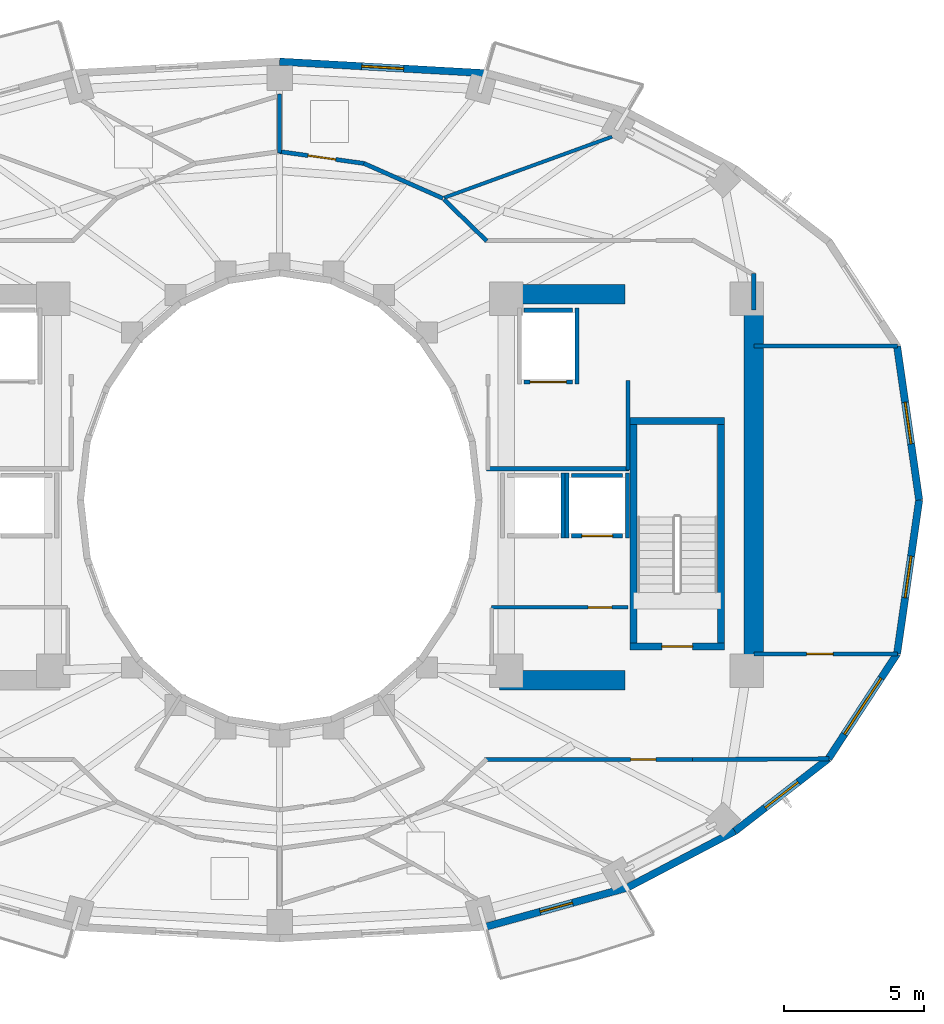
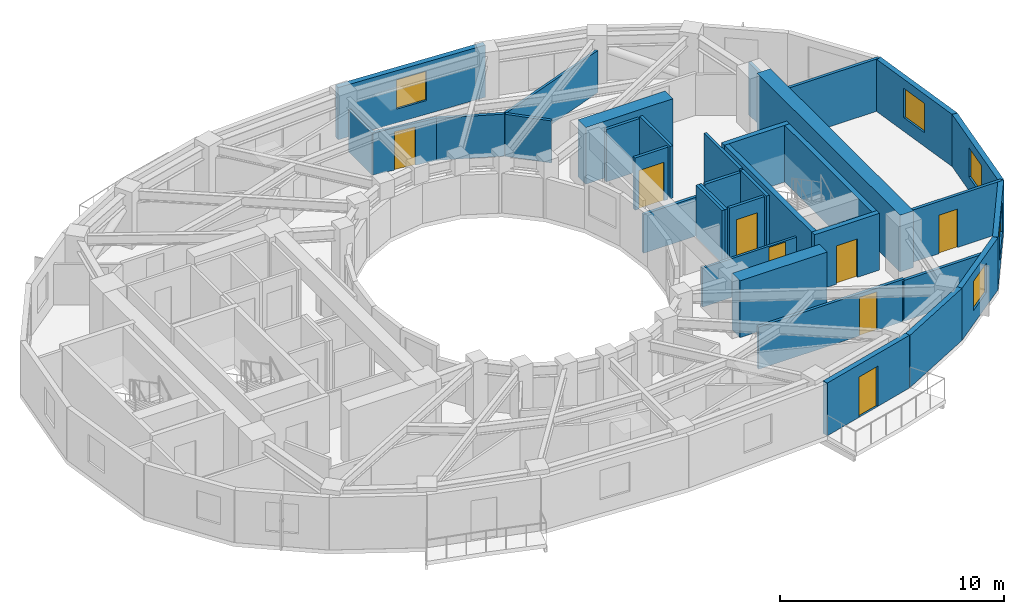
# One storey, part 6 of 10: 35 walls, 8 doors, 5 windows, 13 openings.
"""IFC4 building model written with IfcOpenShell, lengths in metres."""

from ifc_helpers import new_model, si_unit, direction, frame, frame_2d, origin, place, context, subcontext, project, spatial, rectangle, extrude, material, layer, layer_set, type_object, element, fill, save


model = new_model("IFC4")

# Units and contexts
model_context = context("Model", 3, precision=1e-05, world=origin(), true_north=direction((0.0, 1.0)))
body_context = subcontext(model_context, "Body", "Model", "MODEL_VIEW")
ifc_project = project(units=[si_unit("LENGTHUNIT", "METRE"), si_unit("AREAUNIT", "SQUARE_METRE"), si_unit("VOLUMEUNIT", "CUBIC_METRE"), si_unit("PLANEANGLEUNIT", "RADIAN"), si_unit("MASSUNIT", "GRAM", prefix="KILO")], contexts=[model_context])

# Site, building, storey
site_placement = place(None, origin())
site = spatial("IfcSite", under=ifc_project, at=site_placement, CompositionType="ELEMENT")
building_placement = place(site_placement, origin())
building = spatial("IfcBuilding", under=site, at=building_placement, Name="Solvane Sanctuary Tower", CompositionType="ELEMENT")
storey_placement = place(building_placement, frame((0.0, 0.0, 165.300048828125)))
storey = spatial("IfcBuildingStorey", under=building, at=storey_placement, Name="L50", CompositionType="ELEMENT", Elevation=165.300048828125)

# Walls
ifc_material_1 = material(Name="Concrete C60/75", Category="concrete")
ifc_layer_1 = layer(ifc_material_1, 0.699951171875, Name="Concrete C60/75")
ifc_layer_set_1 = layer_set([ifc_layer_1], Name="Concrete C60/75")
wall_type_1 = type_object("IfcWallType", Name="Wall W-CORE-700", PredefinedType="SHEAR", material=ifc_layer_set_1)
wall_1_placement = place(storey_placement, frame((48.949951171875, 17.050048828125, 0.0), z_axis=(0.0, 0.0, 1.0), x_axis=(0.0, 1.0, 0.0)))
element("IfcWall", 1, at=wall_1_placement, inside=storey, type_object=wall_type_1, Name="L50 Core Shear Wall EC-E", PredefinedType="SHEAR", context=body_context, shape_type="SweptSolid", body=[
    extrude(rectangle(XDim=12.800048828125, YDim=0.699951171875, at=frame_2d((6.39990234375, 0.0))), origin(), (0.0, 0.0, 1.0), 3.099853515625),
])
for number, where, z_axis, x_axis, name in (
    (2, (39.85009765625, 16.550048828125, 0.0), (0.0, 0.0, 1.0), (1.0, 0.0, 0.0), "L50 Core Shear Wall EC-S"),
    (3, (39.85009765625, 30.35009765625, 0.0), (0.0, 0.0, 1.0), (1.0, 0.0, 0.0), "L50 Core Shear Wall EC-N"),
):
    element("IfcWall", number, at=place(storey_placement, frame(where, z_axis=z_axis, x_axis=x_axis)), inside=storey, type_object=wall_type_1, Name=name, PredefinedType="SHEAR", context=body_context, shape_type="SweptSolid", body=[
        extrude(rectangle(XDim=4.5, YDim=0.699951171875, at=frame_2d((2.25, 0.0))), origin(), (0.0, 0.0, 1.0), 3.099853515625),
    ])
ifc_material_2 = material(Name="Acoustic Gypsum Partition Board")
ifc_layer_2 = layer(ifc_material_2, 0.14990234375, Name="Acoustic Gypsum Partition Board")
ifc_layer_set_2 = layer_set([ifc_layer_2], Name="Acoustic Gypsum Partition Board")
wall_type_2 = type_object("IfcWallType", Name="Wall W-CORR-150", PredefinedType="PARTITIONING", material=ifc_layer_set_2)
wall_2_placement = place(storey_placement, frame((39.39990234375, 24.1201171875, 0.0), z_axis=(0.0, 0.0, 1.0), x_axis=(1.0, 0.0, 0.0)))
element("IfcWall", 4, at=wall_2_placement, inside=storey, type_object=wall_type_2, Name="L50 East Firefighting Lobby South Wall", PredefinedType="PARTITIONING", context=body_context, shape_type="SweptSolid", body=[
    extrude(rectangle(XDim=5.080078125, YDim=0.14990234375, at=frame_2d((2.5400390625, 0.0))), origin(), (0.0, 0.0, 1.0), 2.119873046875),
])
wall_3_placement = place(storey_placement, frame((44.449951171875, 24.080078125, 0.0), z_axis=(0.0, 0.0, 1.0), x_axis=(0.0, 1.0, 0.0)))
element("IfcWall", 5, at=wall_3_placement, inside=storey, type_object=wall_type_2, Name="L50 East Firefighting Lobby East Wall", PredefinedType="PARTITIONING", context=body_context, shape_type="SweptSolid", body=[
    extrude(rectangle(XDim=3.199951171875, YDim=0.14990234375, at=frame_2d((1.60009765625, 0.0))), origin(), (0.0, 0.0, 1.0), 2.85498046875),
])

# Wall, opening, door
wall_4_placement = place(storey_placement, frame((48.949951171875, 17.4970703125, 0.0), z_axis=(0.0, 0.0, 1.0), x_axis=(1.0, 0.0, 0.0)))
wall_4 = element("IfcWall", 6, at=wall_4_placement, inside=storey, type_object=wall_type_2, Name="L50 East Shoulder South Wall", PredefinedType="PARTITIONING", context=body_context, shape_type="SweptSolid", body=[
    extrude(rectangle(XDim=5.14013671875, YDim=0.14990234375, at=frame_2d((2.570068359375, 0.0))), origin(), (0.0, 0.0, 1.0), 2.85498046875),
])
opening_1_placement = place(wall_4_placement, frame((1.888671875, 0.0, 0.0)))
opening_1 = element("IfcOpeningElement", 7, at=opening_1_placement, cuts=wall_4, Name="Opening D-L50-13", PredefinedType="OPENING", context=body_context, shape_type="SweptSolid", body=[
    extrude(rectangle(XDim=0.949951171875, YDim=2.10009765625, at=frame_2d((0.47509765625, 1.050048828125))), frame((0.0, 0.0849609375, 0.0), z_axis=(0.0, -1.0, 0.0), x_axis=(1.0, 0.0, 0.0)), (0.0, 0.0, 1.0), 0.169921875),
])
ifc_material_3 = material(Name="Engineered Tropical Hardwood", Category="wood")
door_type_1 = type_object("IfcDoorType", Name="Door D-ROOM-950", OperationType="NOTDEFINED", PredefinedType="DOOR", material=ifc_material_3)
door_1_placement = place(opening_1_placement, origin())
door_1 = element("IfcDoor", 8, at=door_1_placement, inside=storey, type_object=door_type_1, Name="L50 East Shoulder South Door", OperationType="SINGLE_SWING_RIGHT", OverallHeight=2.10009765625, OverallWidth=0.949951171875, PredefinedType="DOOR", context=body_context, shape_type="SweptSolid", body=[
    extrude(rectangle(XDim=0.949951171875, YDim=2.10009765625, at=frame_2d((0.47509765625, 1.050048828125))), frame((0.0, 0.02490234375, 0.0), z_axis=(0.0, -1.0, 0.0), x_axis=(1.0, 0.0, 0.0)), (0.0, 0.0, 1.0), 0.050048828125),
])
fill(opening_1, door_1)

# Walls
wall_5_placement = place(storey_placement, frame((48.949951171875, 28.5029296875, 0.0), z_axis=(0.0, 0.0, 1.0), x_axis=(1.0, 0.0, 0.0)))
element("IfcWall", 9, at=wall_5_placement, inside=storey, type_object=wall_type_2, Name="L50 East Shoulder North Wall", PredefinedType="PARTITIONING", context=body_context, shape_type="SweptSolid", body=[
    extrude(rectangle(XDim=5.14013671875, YDim=0.14990234375, at=frame_2d((2.570068359375, 0.0))), origin(), (0.0, 0.0, 1.0), 2.85498046875),
])
wall_6_placement = place(storey_placement, frame((48.949951171875, 29.800048828125, 0.0), z_axis=(0.0, 0.0, 1.0), x_axis=(0.0, 1.0, 0.0)))
element("IfcWall", 10, at=wall_6_placement, inside=storey, type_object=wall_type_2, Name="L50 NE Corner Closer 1", PredefinedType="PARTITIONING", context=body_context, shape_type="SweptSolid", body=[
    extrude(rectangle(XDim=1.2900390625, YDim=0.14990234375, at=frame_2d((0.64501953125, 0.0))), origin(), (0.0, 0.0, 1.0), 2.85498046875),
])
wall_7_placement = place(storey_placement, frame((37.867431640625, 33.748779296875, 0.0), z_axis=(0.0, 0.0, 1.0), x_axis=(0.717419568599, -0.696641344302, 0.0)))
element("IfcWall", 11, at=wall_7_placement, inside=storey, type_object=wall_type_2, Name="L50 NE Corner Throat Wall", PredefinedType="PARTITIONING", context=body_context, shape_type="SweptSolid", body=[
    extrude(rectangle(XDim=2.138427734375, YDim=0.14990234375, at=frame_2d((1.0693359375, 0.0))), origin(), (0.0, 0.0, 1.0), 2.299072265625),
])

# Wall, opening, door
wall_8_placement = place(storey_placement, frame((39.330078125, 13.719970703125, 0.0), z_axis=(0.0, 0.0, 1.0), x_axis=(1.0, 0.0, 0.0)))
wall_8 = element("IfcWall", 12, at=wall_8_placement, inside=storey, type_object=wall_type_2, Name="L50 SE Corner Corridor Wall", PredefinedType="PARTITIONING", context=body_context, shape_type="SweptSolid", body=[
    extrude(rectangle(XDim=7.52001953125, YDim=0.14990234375, at=frame_2d((3.760009765625, 0.0))), origin(), (0.0, 0.0, 1.0), 2.299072265625),
])
opening_2_placement = place(wall_8_placement, frame((5.219970703125, 0.0, 0.0)))
opening_2 = element("IfcOpeningElement", 13, at=opening_2_placement, cuts=wall_8, Name="Opening D-L50-19", PredefinedType="OPENING", context=body_context, shape_type="SweptSolid", body=[
    extrude(rectangle(XDim=0.89990234375, YDim=2.10009765625, at=frame_2d((0.449951171875, 1.050048828125))), frame((0.0, 0.0849609375, 0.0), z_axis=(0.0, -1.0, 0.0), x_axis=(1.0, 0.0, 0.0)), (0.0, 0.0, 1.0), 0.169921875),
])
door_type_2 = type_object("IfcDoorType", Name="Door D-WET-900", OperationType="NOTDEFINED", PredefinedType="DOOR", material=ifc_material_3)
door_2_placement = place(opening_2_placement, origin())
door_2 = element("IfcDoor", 14, at=door_2_placement, inside=storey, type_object=door_type_2, Name="L50 SE Corner Salon Door", OperationType="SINGLE_SWING_RIGHT", OverallHeight=2.10009765625, OverallWidth=0.89990234375, PredefinedType="DOOR", context=body_context, shape_type="SweptSolid", body=[
    extrude(rectangle(XDim=0.89990234375, YDim=2.10009765625, at=frame_2d((0.449951171875, 1.050048828125))), frame((0.0, 0.02490234375, 0.0), z_axis=(0.0, -1.0, 0.0), x_axis=(1.0, 0.0, 0.0)), (0.0, 0.0, 1.0), 0.050048828125),
])
fill(opening_2, door_2)

# Walls
wall_9_placement = place(storey_placement, frame((46.75, 13.7197265625, 0.0), z_axis=(0.0, 0.0, 1.0), x_axis=(0.999981712056, 0.006047772638, 0.0)))
element("IfcWall", 15, at=wall_9_placement, inside=storey, type_object=wall_type_2, Name="L50 SE Corner Wing Wall", PredefinedType="PARTITIONING", context=body_context, shape_type="SweptSolid", body=[
    extrude(rectangle(XDim=4.884521484375, YDim=0.14990234375, at=frame_2d((2.4423828125, 0.0))), origin(), (0.0, 0.0, 1.0), 2.219970703125),
])
wall_10_placement = place(storey_placement, frame((37.8349609375, 33.782958984375, 0.0), z_axis=(0.0, 0.0, 1.0), x_axis=(-0.91445214467, 0.404694051239, 0.0)))
element("IfcWall", 16, at=wall_10_placement, inside=storey, type_object=wall_type_2, Name="L50 Unit Corridor Wall N1", PredefinedType="PARTITIONING", context=body_context, shape_type="SweptSolid", body=[
    extrude(rectangle(XDim=3.090576171875, YDim=0.14990234375, at=frame_2d((1.54541015625, 0.0))), origin(), (0.0, 0.0, 1.0), 2.299072265625),
])

# Wall, opening, door
wall_11_placement = place(storey_placement, frame((35.024658203125, 35.029296875, 0.0), z_axis=(0.0, 0.0, 1.0), x_axis=(-0.990243864279, 0.139345216129, 0.0)))
wall_11 = element("IfcWall", 17, at=wall_11_placement, inside=storey, type_object=wall_type_2, Name="L50 Unit Corridor Wall N1", PredefinedType="PARTITIONING", context=body_context, shape_type="SweptSolid", body=[
    extrude(rectangle(XDim=3.0625, YDim=0.14990234375, at=frame_2d((1.53125, 0.0))), origin(), (0.0, 0.0, 1.0), 2.299072265625),
])
opening_3_placement = place(wall_11_placement, frame((1.03125, 0.0, 0.0)))
opening_3 = element("IfcOpeningElement", 18, at=opening_3_placement, cuts=wall_11, Name="Opening D-L50-22", PredefinedType="OPENING", context=body_context, shape_type="SweptSolid", body=[
    extrude(rectangle(XDim=1.0, YDim=2.10009765625, at=frame_2d((0.5, 1.050048828125))), frame((0.0, 0.0849609375, 0.0), z_axis=(0.0, -1.0, 0.0), x_axis=(1.0, 0.0, 0.0)), (0.0, 0.0, 1.0), 0.169921875),
])
door_type_3 = type_object("IfcDoorType", Name="Door D-UNIT", OperationType="NOTDEFINED", PredefinedType="DOOR", material=ifc_material_3)
door_3_placement = place(opening_3_placement, origin())
door_3 = element("IfcDoor", 19, at=door_3_placement, inside=storey, type_object=door_type_3, Name="L50 Unit Entrance Door N1", OperationType="SINGLE_SWING_LEFT", OverallHeight=2.10009765625, OverallWidth=1.0, PredefinedType="DOOR", context=body_context, shape_type="SweptSolid", body=[
    extrude(rectangle(XDim=1.0, YDim=2.10009765625, at=frame_2d((0.5, 1.050048828125))), frame((0.0, 0.02490234375, 0.0), z_axis=(0.0, -1.0, 0.0), x_axis=(1.0, 0.0, 0.0)), (0.0, 0.0, 1.0), 0.050048828125),
])
fill(opening_3, door_3)

# Wall, opening, window
ifc_material_4 = material(Name="Precast concrete C40/50", Category="concrete")
ifc_layer_3 = layer(ifc_material_4, 0.260009765625, Name="Precast concrete C40/50")
ifc_layer_set_3 = layer_set([ifc_layer_3], Name="Precast concrete C40/50")
wall_type_3 = type_object("IfcWallType", Name="Wall W-EXT-250", PredefinedType="STANDARD", material=ifc_layer_set_3)
wall_12_placement = place(storey_placement, frame((54.860107421875, 23.0, 0.0), z_axis=(0.0, 0.0, 1.0), x_axis=(-0.142227632286, 0.989833976288, 0.0)))
wall_12 = element("IfcWall", 20, at=wall_12_placement, inside=storey, type_object=wall_type_3, Name="L50 Ceramic-Printed Facade Wall 00", PredefinedType="STANDARD", context=body_context, shape_type="SweptSolid", body=[
    extrude(rectangle(XDim=5.552978515625, YDim=0.260009765625, at=frame_2d((2.7763671875, 0.0))), origin(), (0.0, 0.0, 1.0), 2.849853515625),
])
opening_4_placement = place(wall_12_placement, frame((2.026611328125, 0.0, 0.75)))
opening_4 = element("IfcOpeningElement", 21, at=opening_4_placement, cuts=wall_12, Name="Opening WN-OPER-1500", PredefinedType="OPENING", context=body_context, shape_type="SweptSolid", body=[
    extrude(rectangle(XDim=1.5, YDim=1.60009765625, at=frame_2d((0.75, 0.800048828125))), frame((0.0, 0.139892578125, 0.0), z_axis=(0.0, -1.0, 0.0), x_axis=(1.0, 0.0, 0.0)), (0.0, 0.0, 1.0), 0.280029296875),
])
ifc_material_5 = material(Name="Dark Ceramic-Fritted Low-E Glass", Category="glass")
window_type_1 = type_object("IfcWindowType", Name="Window WN-OPER-1500", PartitioningType="SINGLE_PANEL", PredefinedType="WINDOW", material=ifc_material_5)
window_1_placement = place(opening_4_placement, origin())
window_1 = element("IfcWindow", 22, at=window_1_placement, inside=storey, type_object=window_type_1, Name="L50 Operable Facade Window 00", OverallHeight=1.60009765625, OverallWidth=1.5, PartitioningType="SINGLE_PANEL", PredefinedType="WINDOW", context=body_context, shape_type="SweptSolid", body=[
    extrude(rectangle(XDim=1.5, YDim=1.60009765625, at=frame_2d((0.75, 0.800048828125))), frame((0.0, 0.030029296875, 0.0), z_axis=(0.0, -1.0, 0.0), x_axis=(1.0, 0.0, 0.0)), (0.0, 0.0, 1.0), 0.06005859375),
])
fill(opening_4, window_1)

wall_13_placement = place(storey_placement, frame((39.365234375, 38.256591796875, 0.0), z_axis=(0.0, 0.0, 1.0), x_axis=(-0.998417906562, 0.056228852534, 0.0)))
wall_13 = element("IfcWall", 23, at=wall_13_placement, inside=storey, type_object=wall_type_3, Name="L50 Ceramic-Printed Facade Wall 05", PredefinedType="STANDARD", context=body_context, shape_type="SweptSolid", body=[
    extrude(rectangle(XDim=7.376953125, YDim=0.260009765625, at=frame_2d((3.6884765625, 0.0))), origin(), (0.0, 0.0, 1.0), 2.849853515625),
])
opening_5_placement = place(wall_13_placement, frame((2.9384765625, 0.0, 0.75)))
opening_5 = element("IfcOpeningElement", 24, at=opening_5_placement, cuts=wall_13, Name="Opening WN-OPER-1500", PredefinedType="OPENING", context=body_context, shape_type="SweptSolid", body=[
    extrude(rectangle(XDim=1.5, YDim=1.60009765625, at=frame_2d((0.75, 0.800048828125))), frame((0.0, 0.139892578125, 0.0), z_axis=(0.0, -1.0, 0.0), x_axis=(1.0, 0.0, 0.0)), (0.0, 0.0, 1.0), 0.280029296875),
])
window_2_placement = place(opening_5_placement, origin())
window_2 = element("IfcWindow", 25, at=window_2_placement, inside=storey, type_object=window_type_1, Name="L50 Operable Facade Window 05", OverallHeight=1.60009765625, OverallWidth=1.5, PartitioningType="SINGLE_PANEL", PredefinedType="WINDOW", context=body_context, shape_type="SweptSolid", body=[
    extrude(rectangle(XDim=1.5, YDim=1.60009765625, at=frame_2d((0.75, 0.800048828125))), frame((0.0, 0.030029296875, 0.0), z_axis=(0.0, -1.0, 0.0), x_axis=(1.0, 0.0, 0.0)), (0.0, 0.0, 1.0), 0.06005859375),
])
fill(opening_5, window_2)

# Wall, opening, door
wall_14_placement = place(storey_placement, frame((39.365234375, 7.743408203125, 0.0), z_axis=(0.0, 0.0, 1.0), x_axis=(0.963953455704, 0.26607092144, 0.0)))
wall_14 = element("IfcWall", 26, at=wall_14_placement, inside=storey, type_object=wall_type_3, Name="L50 Balcony Facade Wall S2", PredefinedType="STANDARD", context=body_context, shape_type="SweptSolid", body=[
    extrude(rectangle(XDim=5.236572265625, YDim=0.260009765625, at=frame_2d((2.6181640625, 0.0))), origin(), (0.0, 0.0, 1.0), 2.8798828125),
])
opening_6_placement = place(wall_14_placement, frame((2.018310546875, 0.0, 0.0)))
opening_6 = element("IfcOpeningElement", 27, at=opening_6_placement, cuts=wall_14, Name="Opening D-L50-04", PredefinedType="OPENING", context=body_context, shape_type="SweptSolid", body=[
    extrude(rectangle(XDim=1.199951171875, YDim=2.199951171875, at=frame_2d((0.60009765625, 1.10009765625))), frame((0.0, 0.139892578125, 0.0), z_axis=(0.0, -1.0, 0.0), x_axis=(1.0, 0.0, 0.0)), (0.0, 0.0, 1.0), 0.280029296875),
])
ifc_material_6 = material(Name="Anodised Aluminium 6063-T6", Category="aluminium")
door_type_4 = type_object("IfcDoorType", Name="Door D-BALC-1200", OperationType="NOTDEFINED", PredefinedType="DOOR", material=ifc_material_6)
door_4_placement = place(opening_6_placement, origin())
door_4 = element("IfcDoor", 28, at=door_4_placement, inside=storey, type_object=door_type_4, Name="L50 Glazed Balcony Door S2", OperationType="SINGLE_SWING_LEFT", OverallHeight=2.199951171875, OverallWidth=1.199951171875, PredefinedType="DOOR", context=body_context, shape_type="SweptSolid", body=[
    extrude(rectangle(XDim=1.199951171875, YDim=2.199951171875, at=frame_2d((0.60009765625, 1.10009765625))), frame((0.0, 0.02490234375, 0.0), z_axis=(0.0, -1.0, 0.0), x_axis=(1.0, 0.0, 0.0)), (0.0, 0.0, 1.0), 0.050048828125),
])
fill(opening_6, door_4)

# Wall
wall_15_placement = place(storey_placement, frame((44.4130859375, 9.13671875, 0.0), z_axis=(0.0, 0.0, 1.0), x_axis=(0.885660265226, 0.464333818065, 0.0)))
element("IfcWall", 29, at=wall_15_placement, inside=storey, type_object=wall_type_3, Name="L50 Ceramic-Printed Facade Wall 20", PredefinedType="STANDARD", context=body_context, shape_type="SweptSolid", body=[
    extrude(rectangle(XDim=4.35400390625, YDim=0.260009765625, at=frame_2d((2.177001953125, 0.0))), origin(), (0.0, 0.0, 1.0), 2.849853515625),
])

# Wall, opening, window
wall_16_placement = place(storey_placement, frame((48.269287109375, 11.158447265625, 0.0), z_axis=(0.0, 0.0, 1.0), x_axis=(0.790185650662, 0.612867552973, 0.0)))
wall_16 = element("IfcWall", 30, at=wall_16_placement, inside=storey, type_object=wall_type_3, Name="L50 Ceramic-Printed Facade Wall 21", PredefinedType="STANDARD", context=body_context, shape_type="SweptSolid", body=[
    extrude(rectangle(XDim=4.2392578125, YDim=0.260009765625, at=frame_2d((2.11962890625, 0.0))), origin(), (0.0, 0.0, 1.0), 2.849853515625),
])
opening_7_placement = place(wall_16_placement, frame((1.36962890625, 0.0, 0.75)))
opening_7 = element("IfcOpeningElement", 31, at=opening_7_placement, cuts=wall_16, Name="Opening WN-OPER-1500", PredefinedType="OPENING", context=body_context, shape_type="SweptSolid", body=[
    extrude(rectangle(XDim=1.5, YDim=1.60009765625, at=frame_2d((0.75, 0.800048828125))), frame((0.0, 0.139892578125, 0.0), z_axis=(0.0, -1.0, 0.0), x_axis=(1.0, 0.0, 0.0)), (0.0, 0.0, 1.0), 0.280029296875),
])
window_3_placement = place(opening_7_placement, origin())
window_3 = element("IfcWindow", 32, at=window_3_placement, inside=storey, type_object=window_type_1, Name="L50 Operable Facade Window 21", OverallHeight=1.60009765625, OverallWidth=1.5, PartitioningType="SINGLE_PANEL", PredefinedType="WINDOW", context=body_context, shape_type="SweptSolid", body=[
    extrude(rectangle(XDim=1.5, YDim=1.60009765625, at=frame_2d((0.75, 0.800048828125))), frame((0.0, 0.030029296875, 0.0), z_axis=(0.0, -1.0, 0.0), x_axis=(1.0, 0.0, 0.0)), (0.0, 0.0, 1.0), 0.06005859375),
])
fill(opening_7, window_3)

wall_17_placement = place(storey_placement, frame((51.619140625, 13.756591796875, 0.0), z_axis=(0.0, 0.0, 1.0), x_axis=(0.547456494366, 0.836834145322, 0.0)))
wall_17 = element("IfcWall", 33, at=wall_17_placement, inside=storey, type_object=wall_type_3, Name="L50 Ceramic-Printed Facade Wall 22", PredefinedType="STANDARD", context=body_context, shape_type="SweptSolid", body=[
    extrude(rectangle(XDim=4.477294921875, YDim=0.260009765625, at=frame_2d((2.23876953125, 0.0))), origin(), (0.0, 0.0, 1.0), 2.849853515625),
])
opening_8_placement = place(wall_17_placement, frame((1.038818359375, 0.0, 0.75)))
opening_8 = element("IfcOpeningElement", 34, at=opening_8_placement, cuts=wall_17, Name="Opening WN-RIB-2400", PredefinedType="OPENING", context=body_context, shape_type="SweptSolid", body=[
    extrude(rectangle(XDim=2.39990234375, YDim=1.699951171875, at=frame_2d((1.199951171875, 0.85009765625))), frame((0.0, 0.139892578125, 0.0), z_axis=(0.0, -1.0, 0.0), x_axis=(1.0, 0.0, 0.0)), (0.0, 0.0, 1.0), 0.280029296875),
])
window_type_2 = type_object("IfcWindowType", Name="Window WN-RIB-2400", PartitioningType="SINGLE_PANEL", PredefinedType="WINDOW", material=ifc_material_5)
window_4_placement = place(opening_8_placement, origin())
window_4 = element("IfcWindow", 35, at=window_4_placement, inside=storey, type_object=window_type_2, Name="L50 Operable Facade Window 22", OverallHeight=1.699951171875, OverallWidth=2.39990234375, PartitioningType="SINGLE_PANEL", PredefinedType="WINDOW", context=body_context, shape_type="SweptSolid", body=[
    extrude(rectangle(XDim=2.39990234375, YDim=1.699951171875, at=frame_2d((1.199951171875, 0.85009765625))), frame((0.0, 0.030029296875, 0.0), z_axis=(0.0, -1.0, 0.0), x_axis=(1.0, 0.0, 0.0)), (0.0, 0.0, 1.0), 0.06005859375),
])
fill(opening_8, window_4)

wall_18_placement = place(storey_placement, frame((54.0703125, 17.50341796875, 0.0), z_axis=(0.0, 0.0, 1.0), x_axis=(0.142227632286, 0.989833976288, 0.0)))
wall_18 = element("IfcWall", 36, at=wall_18_placement, inside=storey, type_object=wall_type_3, Name="L50 Ceramic-Printed Facade Wall 23", PredefinedType="STANDARD", context=body_context, shape_type="SweptSolid", body=[
    extrude(rectangle(XDim=5.552978515625, YDim=0.260009765625, at=frame_2d((2.7763671875, 0.0))), origin(), (0.0, 0.0, 1.0), 2.849853515625),
])
opening_9_placement = place(wall_18_placement, frame((2.026611328125, 0.0, 0.75)))
opening_9 = element("IfcOpeningElement", 37, at=opening_9_placement, cuts=wall_18, Name="Opening WN-OPER-1500", PredefinedType="OPENING", context=body_context, shape_type="SweptSolid", body=[
    extrude(rectangle(XDim=1.5, YDim=1.60009765625, at=frame_2d((0.75, 0.800048828125))), frame((0.0, 0.139892578125, 0.0), z_axis=(0.0, -1.0, 0.0), x_axis=(1.0, 0.0, 0.0)), (0.0, 0.0, 1.0), 0.280029296875),
])
window_5_placement = place(opening_9_placement, origin())
window_5 = element("IfcWindow", 38, at=window_5_placement, inside=storey, type_object=window_type_1, Name="L50 Operable Facade Window 23", OverallHeight=1.60009765625, OverallWidth=1.5, PartitioningType="SINGLE_PANEL", PredefinedType="WINDOW", context=body_context, shape_type="SweptSolid", body=[
    extrude(rectangle(XDim=1.5, YDim=1.60009765625, at=frame_2d((0.75, 0.800048828125))), frame((0.0, 0.030029296875, 0.0), z_axis=(0.0, -1.0, 0.0), x_axis=(1.0, 0.0, 0.0)), (0.0, 0.0, 1.0), 0.06005859375),
])
fill(opening_9, window_5)

# Wall, opening, door
ifc_layer_4 = layer(ifc_material_2, 0.125, Name="Acoustic Gypsum Partition Board")
ifc_layer_set_4 = layer_set([ifc_layer_4], Name="Acoustic Gypsum Partition Board")
wall_type_4 = type_object("IfcWallType", Name="Wall W-PART-125", PredefinedType="PARTITIONING", material=ifc_layer_set_4)
wall_19_placement = place(storey_placement, frame((39.580078125, 19.159912109375, 0.0), z_axis=(0.0, 0.0, 1.0), x_axis=(1.0, 0.0, 0.0)))
wall_19 = element("IfcWall", 39, at=wall_19_placement, inside=storey, type_object=wall_type_4, Name="L50 Reclaimed Room Partition PLE", PredefinedType="PARTITIONING", context=body_context, shape_type="SweptSolid", body=[
    extrude(rectangle(XDim=4.869873046875, YDim=0.125, at=frame_2d((2.43505859375, 0.0))), origin(), (0.0, 0.0, 1.0), 2.119873046875),
])
opening_10_placement = place(wall_19_placement, frame((3.449951171875, 0.0, 0.0)))
opening_10 = element("IfcOpeningElement", 40, at=opening_10_placement, cuts=wall_19, Name="Opening D-L50-11", PredefinedType="OPENING", context=body_context, shape_type="SweptSolid", body=[
    extrude(rectangle(XDim=0.85009765625, YDim=2.050048828125, at=frame_2d((0.425048828125, 1.02490234375))), frame((0.0, 0.072509765625, 0.0), z_axis=(0.0, -1.0, 0.0), x_axis=(1.0, 0.0, 0.0)), (0.0, 0.0, 1.0), 0.14501953125),
])
ifc_material_7 = material(Name="Architectural Stainless Steel 316", Category="steel")
door_type_5 = type_object("IfcDoorType", Name="Door D-RISER", OperationType="NOTDEFINED", PredefinedType="DOOR", material=ifc_material_7)
door_5_placement = place(opening_10_placement, origin())
door_5 = element("IfcDoor", 41, at=door_5_placement, inside=storey, type_object=door_type_5, Name="L50 Reclaimed Room Door PLE-1", OperationType="SINGLE_SWING_RIGHT", OverallHeight=2.050048828125, OverallWidth=0.85009765625, PredefinedType="DOOR", context=body_context, shape_type="SweptSolid", body=[
    extrude(rectangle(XDim=0.85009765625, YDim=2.050048828125, at=frame_2d((0.425048828125, 1.02490234375))), frame((0.0, 0.02490234375, 0.0), z_axis=(0.0, -1.0, 0.0), x_axis=(1.0, 0.0, 0.0)), (0.0, 0.0, 1.0), 0.050048828125),
])
fill(opening_10, door_5)

# Wall
wall_20_placement = place(storey_placement, frame((37.879638671875, 33.805908203125, 0.0), z_axis=(0.0, 0.0, 1.0), x_axis=(0.939901628116, 0.341445353557, 0.0)))
element("IfcWall", 42, at=wall_20_placement, inside=storey, type_object=wall_type_4, Name="L50 Radial Compartment Wall 060", PredefinedType="PARTITIONING", context=body_context, shape_type="SweptSolid", body=[
    extrude(rectangle(XDim=6.38720703125, YDim=0.125, at=frame_2d((3.193603515625, 0.0))), origin(), (0.0, 0.0, 1.0), 2.299072265625),
])

# Wall, opening, door
ifc_material_8 = material(Name="Concrete C50/60", Category="concrete")
ifc_layer_5 = layer(ifc_material_8, 0.14990234375, Name="Concrete C50/60")
ifc_layer_set_5 = layer_set([ifc_layer_5], Name="Concrete C50/60")
wall_type_5 = type_object("IfcWallType", Name="Wall W-SHAFT-150", PredefinedType="SOLIDWALL", material=ifc_layer_set_5)
wall_21_placement = place(storey_placement, frame((42.43994140625, 21.719970703125, 0.0), z_axis=(0.0, 0.0, 1.0), x_axis=(1.0, 0.0, 0.0)))
wall_21 = element("IfcWall", 43, at=wall_21_placement, inside=storey, type_object=wall_type_5, Name="L50 PM-2 Lift Shaft Wall F", PredefinedType="SOLIDWALL", context=body_context, shape_type="SweptSolid", body=[
    extrude(rectangle(XDim=1.820068359375, YDim=0.14990234375, at=frame_2d((0.91015625, 0.0))), origin(), (0.0, 0.0, 1.0), 2.85498046875),
])
opening_11_placement = place(wall_21_placement, frame((0.360107421875, 0.0, 0.0)))
opening_11 = element("IfcOpeningElement", 44, at=opening_11_placement, cuts=wall_21, Name="Opening LD-L50-02", PredefinedType="OPENING", context=body_context, shape_type="SweptSolid", body=[
    extrude(rectangle(XDim=1.10009765625, YDim=2.10009765625, at=frame_2d((0.550048828125, 1.050048828125))), frame((0.0, 0.0849609375, 0.0), z_axis=(0.0, -1.0, 0.0), x_axis=(1.0, 0.0, 0.0)), (0.0, 0.0, 1.0), 0.169921875),
])
door_type_6 = type_object("IfcDoorType", Name="Door LD-PASS-1100", OperationType="NOTDEFINED", PredefinedType="DOOR", material=ifc_material_7)
door_6_placement = place(opening_11_placement, origin())
door_6 = element("IfcDoor", 45, at=door_6_placement, inside=storey, type_object=door_type_6, Name="L50 PM-2 Lift Landing Door", OperationType="DOUBLE_DOOR_SLIDING", OverallHeight=2.10009765625, OverallWidth=1.10009765625, PredefinedType="DOOR", context=body_context, shape_type="SweptSolid", body=[
    extrude(rectangle(XDim=1.10009765625, YDim=2.10009765625, at=frame_2d((0.550048828125, 1.050048828125))), frame((0.0, 0.02490234375, 0.0), z_axis=(0.0, -1.0, 0.0), x_axis=(1.0, 0.0, 0.0)), (0.0, 0.0, 1.0), 0.050048828125),
])
fill(opening_11, door_6)

# Walls
wall_22_placement = place(storey_placement, frame((42.43994140625, 23.8798828125, 0.0), z_axis=(0.0, 0.0, 1.0), x_axis=(1.0, 0.0, 0.0)))
element("IfcWall", 46, at=wall_22_placement, inside=storey, type_object=wall_type_5, Name="L50 PM-2 Lift Shaft Wall B", PredefinedType="SOLIDWALL", context=body_context, shape_type="SweptSolid", body=[
    extrude(rectangle(XDim=1.820068359375, YDim=0.14990234375, at=frame_2d((0.91015625, 0.0))), origin(), (0.0, 0.0, 1.0), 2.85498046875),
])
for number, where, z_axis, x_axis, name in (
    (47, (42.27001953125, 21.639892578125, 0.0), (0.0, 0.0, 1.0), (0.0, 1.0, 0.0), "L50 PM-2 Lift Shaft Wall S1"),
    (48, (44.429931640625, 21.639892578125, 0.0), (0.0, 0.0, 1.0), (0.0, 1.0, 0.0), "L50 PM-2 Lift Shaft Wall S2"),
    (49, (42.1298828125, 21.639892578125, 0.0), (0.0, 0.0, 1.0), (0.0, 1.0, 0.0), "L50 PH-2 Lift Shaft Wall S2"),
):
    element("IfcWall", number, at=place(storey_placement, frame(where, z_axis=z_axis, x_axis=x_axis)), inside=storey, type_object=wall_type_5, Name=name, PredefinedType="SOLIDWALL", context=body_context, shape_type="SweptSolid", body=[
        extrude(rectangle(XDim=2.320068359375, YDim=0.14990234375, at=frame_2d((1.16015625, 0.0))), origin(), (0.0, 0.0, 1.0), 2.85498046875),
    ])

# Wall, opening, door
wall_23_placement = place(storey_placement, frame((40.739990234375, 27.219970703125, 0.0), z_axis=(0.0, 0.0, 1.0), x_axis=(1.0, 0.0, 0.0)))
wall_23 = element("IfcWall", 50, at=wall_23_placement, inside=storey, type_object=wall_type_5, Name="L50 FFL-2 Lift Shaft Wall F", PredefinedType="SOLIDWALL", context=body_context, shape_type="SweptSolid", body=[
    extrude(rectangle(XDim=1.719970703125, YDim=0.14990234375, at=frame_2d((0.85986328125, 0.0))), origin(), (0.0, 0.0, 1.0), 2.85498046875),
])
opening_12_placement = place(wall_23_placement, frame((0.2099609375, 0.0, 0.0)))
opening_12 = element("IfcOpeningElement", 51, at=opening_12_placement, cuts=wall_23, Name="Opening LD-L50-05", PredefinedType="OPENING", context=body_context, shape_type="SweptSolid", body=[
    extrude(rectangle(XDim=1.300048828125, YDim=2.10009765625, at=frame_2d((0.64990234375, 1.050048828125))), frame((0.0, 0.0849609375, 0.0), z_axis=(0.0, -1.0, 0.0), x_axis=(1.0, 0.0, 0.0)), (0.0, 0.0, 1.0), 0.169921875),
])
door_type_7 = type_object("IfcDoorType", Name="Door LD-FFL-1300", OperationType="NOTDEFINED", PredefinedType="DOOR", material=ifc_material_7)
door_7_placement = place(opening_12_placement, origin())
door_7 = element("IfcDoor", 52, at=door_7_placement, inside=storey, type_object=door_type_7, Name="L50 FFL-2 Lift Landing Door", OperationType="DOUBLE_DOOR_SLIDING", OverallHeight=2.10009765625, OverallWidth=1.300048828125, PredefinedType="DOOR", context=body_context, shape_type="SweptSolid", body=[
    extrude(rectangle(XDim=1.300048828125, YDim=2.10009765625, at=frame_2d((0.64990234375, 1.050048828125))), frame((0.0, 0.02490234375, 0.0), z_axis=(0.0, -1.0, 0.0), x_axis=(1.0, 0.0, 0.0)), (0.0, 0.0, 1.0), 0.050048828125),
])
fill(opening_12, door_7)

# Walls
wall_24_placement = place(storey_placement, frame((40.739990234375, 29.780029296875, 0.0), z_axis=(0.0, 0.0, 1.0), x_axis=(1.0, 0.0, 0.0)))
element("IfcWall", 53, at=wall_24_placement, inside=storey, type_object=wall_type_5, Name="L50 FFL-2 Lift Shaft Wall B", PredefinedType="SOLIDWALL", context=body_context, shape_type="SweptSolid", body=[
    extrude(rectangle(XDim=1.719970703125, YDim=0.14990234375, at=frame_2d((0.85986328125, 0.0))), origin(), (0.0, 0.0, 1.0), 2.85498046875),
])
wall_25_placement = place(storey_placement, frame((42.6298828125, 27.139892578125, 0.0), z_axis=(0.0, 0.0, 1.0), x_axis=(0.0, 1.0, 0.0)))
element("IfcWall", 54, at=wall_25_placement, inside=storey, type_object=wall_type_5, Name="L50 FFL-2 Lift Shaft Wall S2", PredefinedType="SOLIDWALL", context=body_context, shape_type="SweptSolid", body=[
    extrude(rectangle(XDim=2.72021484375, YDim=0.14990234375, at=frame_2d((1.360107421875, 0.0))), origin(), (0.0, 0.0, 1.0), 2.85498046875),
])

# Wall, opening, door
ifc_layer_6 = layer(ifc_material_8, 0.25, Name="Concrete C50/60")
ifc_layer_set_6 = layer_set([ifc_layer_6], Name="Concrete C50/60")
wall_type_6 = type_object("IfcWallType", Name="Wall W-SHAFT-250", PredefinedType="SOLIDWALL", material=ifc_layer_set_6)
wall_26_placement = place(storey_placement, frame((44.52490234375, 17.77001953125, 0.0), z_axis=(0.0, 0.0, 1.0), x_axis=(1.0, 0.0, 0.0)))
wall_26 = element("IfcWall", 55, at=wall_26_placement, inside=storey, type_object=wall_type_6, Name="L50 ST-2 Load-Bearing Shaft Wall S", PredefinedType="SOLIDWALL", context=body_context, shape_type="SweptSolid", body=[
    extrude(rectangle(XDim=3.3701171875, YDim=0.25, at=frame_2d((1.68505859375, 0.0))), origin(), (0.0, 0.0, 1.0), 3.099853515625),
])
opening_13_placement = place(wall_26_placement, frame((1.135009765625, 0.0, 0.0)))
opening_13 = element("IfcOpeningElement", 56, at=opening_13_placement, cuts=wall_26, Name="Opening D-L50-06", PredefinedType="OPENING", context=body_context, shape_type="SweptSolid", body=[
    extrude(rectangle(XDim=1.10009765625, YDim=2.10009765625, at=frame_2d((0.550048828125, 1.050048828125))), frame((0.0, 0.135009765625, 0.0), z_axis=(0.0, -1.0, 0.0), x_axis=(1.0, 0.0, 0.0)), (0.0, 0.0, 1.0), 0.27001953125),
])
door_type_8 = type_object("IfcDoorType", Name="Door D-STAIR", OperationType="NOTDEFINED", PredefinedType="DOOR", material=ifc_material_7)
door_8_placement = place(opening_13_placement, origin())
door_8 = element("IfcDoor", 57, at=door_8_placement, inside=storey, type_object=door_type_8, Name="L50 ST-2 Exit Stair Fire Door", OperationType="SINGLE_SWING_LEFT", OverallHeight=2.10009765625, OverallWidth=1.10009765625, PredefinedType="DOOR", context=body_context, shape_type="SweptSolid", body=[
    extrude(rectangle(XDim=1.10009765625, YDim=2.10009765625, at=frame_2d((0.550048828125, 1.050048828125))), frame((0.0, 0.02490234375, 0.0), z_axis=(0.0, -1.0, 0.0), x_axis=(1.0, 0.0, 0.0)), (0.0, 0.0, 1.0), 0.050048828125),
])
fill(opening_13, door_8)

# Walls
wall_27_placement = place(storey_placement, frame((44.52490234375, 25.830078125, 0.0), z_axis=(0.0, 0.0, 1.0), x_axis=(1.0, 0.0, 0.0)))
element("IfcWall", 58, at=wall_27_placement, inside=storey, type_object=wall_type_6, Name="L50 ST-2 Load-Bearing Shaft Wall N", PredefinedType="SOLIDWALL", context=body_context, shape_type="SweptSolid", body=[
    extrude(rectangle(XDim=3.3701171875, YDim=0.25, at=frame_2d((1.68505859375, 0.0))), origin(), (0.0, 0.0, 1.0), 3.099853515625),
])
for number, where, z_axis, x_axis, name in (
    (59, (44.64990234375, 17.89501953125, 0.0), (0.0, 0.0, 1.0), (0.0, 1.0, 0.0), "L50 ST-2 Load-Bearing Shaft Wall W"),
    (60, (47.77001953125, 17.89501953125, 0.0), (0.0, 0.0, 1.0), (0.0, 1.0, 0.0), "L50 ST-2 Load-Bearing Shaft Wall E"),
):
    element("IfcWall", number, at=place(storey_placement, frame(where, z_axis=z_axis, x_axis=x_axis)), inside=storey, type_object=wall_type_6, Name=name, PredefinedType="SOLIDWALL", context=body_context, shape_type="SweptSolid", body=[
        extrude(rectangle(XDim=7.81005859375, YDim=0.25, at=frame_2d((3.905029296875, 0.0))), origin(), (0.0, 0.0, 1.0), 3.099853515625),
    ])
ifc_layer_7 = layer(ifc_material_2, 0.139892578125, Name="Acoustic Gypsum Partition Board")
ifc_layer_set_7 = layer_set([ifc_layer_7], Name="Acoustic Gypsum Partition Board")
wall_type_7 = type_object("IfcWallType", Name="Wall W-WET-140", PredefinedType="PLUMBINGWALL", material=ifc_layer_set_7)
wall_28_placement = place(storey_placement, frame((32.0, 35.406005859375, 0.0), z_axis=(0.0, 0.0, 1.0), x_axis=(0.0, 1.0, 0.0)))
element("IfcWall", 61, at=wall_28_placement, inside=storey, type_object=wall_type_7, Name="L50 En-suite Side Partition N1", PredefinedType="PLUMBINGWALL", context=body_context, shape_type="SweptSolid", body=[
    extrude(rectangle(XDim=2.10009765625, YDim=0.139892578125, at=frame_2d((1.050048828125, 0.0))), origin(), (0.0, 0.0, 1.0), 2.299072265625),
])

save(model, "model.ifc")
